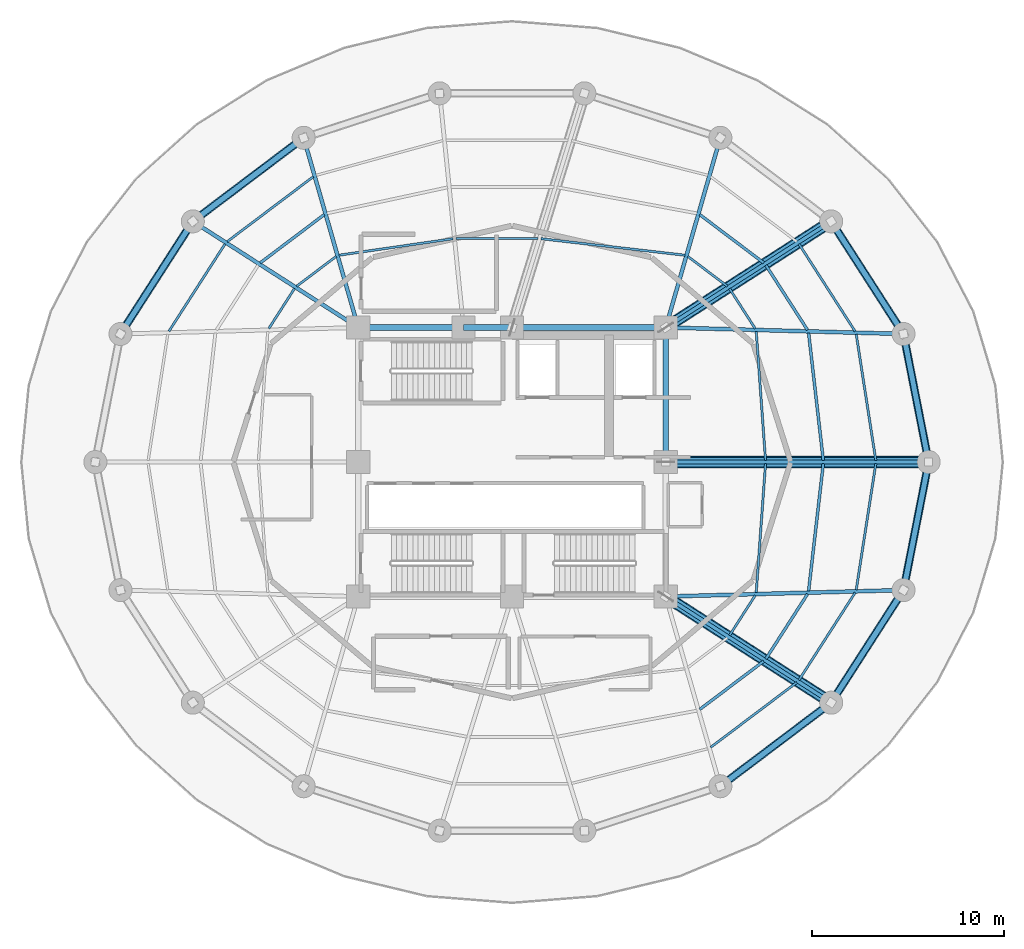
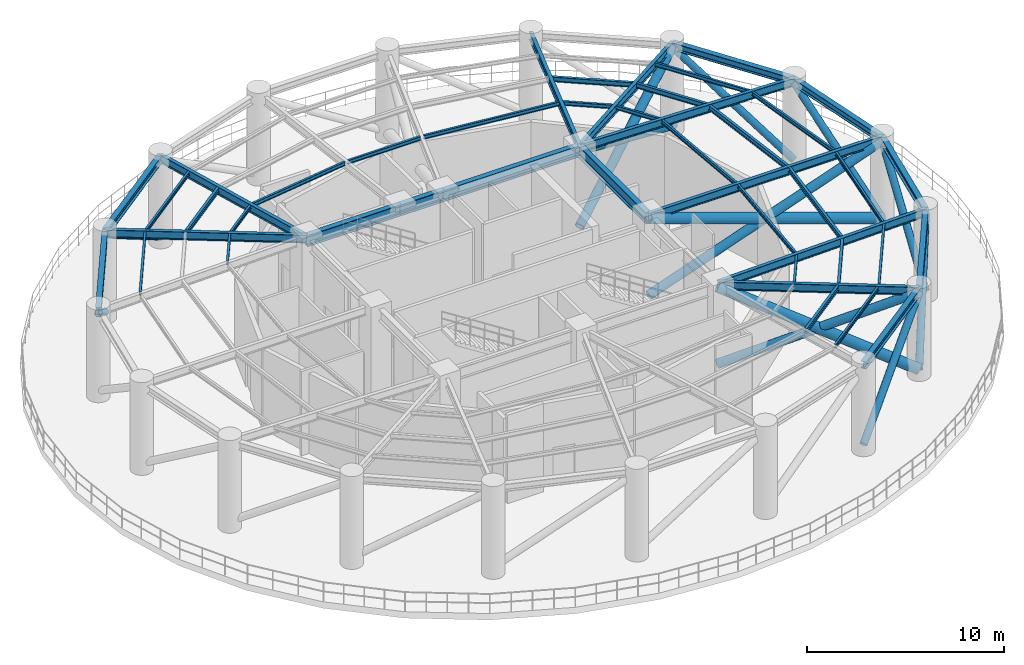
# One storey, part 2 of 7: 43 beams, 13 members.
"""IFC4 building model written with IfcOpenShell, lengths in metres."""

from ifc_helpers import new_model, si_unit, direction, frame, origin, origin_2d, place, context, subcontext, project, spatial, hollow_circle, i_section, extrude, material, material_profile, profile_set, type_object, element, save


model = new_model("IFC4")

# Units and contexts
model_context = context("Model", 3, precision=1e-05, world=origin(), true_north=direction((0.0, 1.0)))
body_context = subcontext(model_context, "Body", "Model", "MODEL_VIEW")
ifc_project = project(units=[si_unit("LENGTHUNIT", "METRE"), si_unit("AREAUNIT", "SQUARE_METRE"), si_unit("VOLUMEUNIT", "CUBIC_METRE"), si_unit("PLANEANGLEUNIT", "RADIAN"), si_unit("MASSUNIT", "GRAM", prefix="KILO")], contexts=[model_context])

# Site, building, storey
site_placement = place(None, origin())
site = spatial("IfcSite", under=ifc_project, at=site_placement, CompositionType="ELEMENT")
building_placement = place(site_placement, origin())
building = spatial("IfcBuilding", under=site, at=building_placement, Name="Kelanora Arch Commons", CompositionType="ELEMENT")
storey_placement = place(building_placement, frame((0.0, 0.0, 129.860107421875)))
storey = spatial("IfcBuildingStorey", under=building, at=storey_placement, Name="L33", CompositionType="ELEMENT", Elevation=129.860107421875)

# Beams
ifc_material = material(Name="Steel S355", Category="steel")
ifc_material_profile_1 = material_profile(ifc_material, i_section(OverallWidth=0.300048828125, OverallDepth=0.699951171875, WebThickness=0.01708984375, FlangeThickness=0.031982421875, FilletRadius=0.027099609375, at=origin_2d()), Name="HEB700")
ifc_profile_set_1 = profile_set([ifc_material_profile_1], Name="Steel S355")
beam_type_1 = type_object("IfcBeamType", Name="BM-CORE-HDR", PredefinedType="BEAM", material=ifc_profile_set_1)
beam_1_placement = place(storey_placement, frame((82.0, 58.0, 5.1298828125), z_axis=(0.0, 1.0, 0.0), x_axis=(-1.0, 0.0, 0.0)))
element("IfcBeam", 1, at=beam_1_placement, inside=storey, type_object=beam_type_1, Name="Core Header Beam 04 L33", PredefinedType="BEAM", context=body_context, shape_type="SweptSolid", body=[
    extrude(i_section(OverallWidth=0.300048828125, OverallDepth=0.699951171875, WebThickness=0.01708984375, FlangeThickness=0.031982421875, FilletRadius=0.027099609375, at=origin_2d()), origin(), (0.0, 0.0, 1.0), 7.0),
])
beam_2_placement = place(storey_placement, frame((82.0, 65.0, 5.1298828125), z_axis=(-1.0, 0.0, 0.0), x_axis=(0.0, -1.0, 0.0)))
element("IfcBeam", 2, at=beam_2_placement, inside=storey, type_object=beam_type_1, Name="Core Header Beam 05 L33", PredefinedType="BEAM", context=body_context, shape_type="SweptSolid", body=[
    extrude(i_section(OverallWidth=0.300048828125, OverallDepth=0.699951171875, WebThickness=0.01708984375, FlangeThickness=0.031982421875, FilletRadius=0.027099609375, at=origin_2d()), origin(), (0.0, 0.0, 1.0), 8.0),
])
beam_3_placement = place(storey_placement, frame((74.0, 65.0, 5.1298828125), z_axis=(-1.0, 0.0, 0.0), x_axis=(0.0, -1.0, 0.0)))
element("IfcBeam", 3, at=beam_3_placement, inside=storey, type_object=beam_type_1, Name="Core Header Beam 06 L33", PredefinedType="BEAM", context=body_context, shape_type="SweptSolid", body=[
    extrude(i_section(OverallWidth=0.300048828125, OverallDepth=0.699951171875, WebThickness=0.01708984375, FlangeThickness=0.031982421875, FilletRadius=0.027099609375, at=origin_2d()), origin(), (0.0, 0.0, 1.0), 2.52001953125),
])
beam_4_placement = place(storey_placement, frame((71.47998046875, 65.0, 5.1298828125), z_axis=(-1.0, 0.0, 0.0), x_axis=(0.0, -1.0, 0.0)))
element("IfcBeam", 4, at=beam_4_placement, inside=storey, type_object=beam_type_1, Name="Core Header Beam 07 L33", PredefinedType="BEAM", context=body_context, shape_type="SweptSolid", body=[
    extrude(i_section(OverallWidth=0.300048828125, OverallDepth=0.699951171875, WebThickness=0.01708984375, FlangeThickness=0.031982421875, FilletRadius=0.027099609375, at=origin_2d()), origin(), (0.0, 0.0, 1.0), 5.47998046875),
])
ifc_material_profile_2 = material_profile(ifc_material, i_section(OverallWidth=0.14990234375, OverallDepth=0.300048828125, WebThickness=0.007080078125, FlangeThickness=0.0107421875, FilletRadius=0.014892578125, at=origin_2d()), Name="IPE300")
ifc_profile_set_2 = profile_set([ifc_material_profile_2], Name="Steel S355")
beam_type_2 = type_object("IfcBeamType", Name="BM-JST-01", PredefinedType="JOIST", material=ifc_profile_set_2)
beam_5_placement = place(storey_placement, frame((90.1982421875, 58.08447265625, 5.329833984375), z_axis=(-0.114667159005, 0.9934039675, 0.0), x_axis=(-0.9934039675, -0.114667159005, 0.0)))
element("IfcBeam", 5, at=beam_5_placement, inside=storey, type_object=beam_type_2, Name="Secondary Chord Joist BJB-00 L33", PredefinedType="JOIST", context=body_context, shape_type="SweptSolid", body=[
    extrude(i_section(OverallWidth=0.14990234375, OverallDepth=0.300048828125, WebThickness=0.007080078125, FlangeThickness=0.0107421875, FilletRadius=0.014892578125, at=origin_2d()), origin(), (0.0, 0.0, 1.0), 6.672607421875),
])
beam_6_placement = place(storey_placement, frame((89.377685546875, 64.869140625, 5.329833984375), z_axis=(-0.540594434398, 0.841283339606, 0.0), x_axis=(-0.841283339606, -0.540594434398, 0.0)))
element("IfcBeam", 6, at=beam_6_placement, inside=storey, type_object=beam_type_2, Name="Secondary Chord Joist BJB-02 L33", PredefinedType="JOIST", context=body_context, shape_type="SweptSolid", body=[
    extrude(i_section(OverallWidth=0.14990234375, OverallDepth=0.300048828125, WebThickness=0.007080078125, FlangeThickness=0.0107421875, FilletRadius=0.014892578125, at=origin_2d()), origin(), (0.0, 0.0, 1.0), 4.008544921875),
])
for number, where, z_axis, x_axis, name in (
    (7, (87.0966796875, 68.364013671875, 5.329833984375), (-0.798463547891, 0.602043156833, 0.0), (-0.602043156833, -0.798463547891, 0.0), "Secondary Chord Joist BJB-04 L33"),
    (8, (64.22802734375, 70.870849609375, 5.329833984375), (-0.798463547891, -0.602043156833, 0.0), (0.602043156833, -0.798463547891, 0.0), "Secondary Chord Joist BJB-12 L33"),
    (9, (83.77197265625, 45.129150390625, 5.329833984375), (0.798463547891, 0.602043156833, 0.0), (-0.602043156833, 0.798463547891, 0.0), "Secondary Chord Joist BJB-30 L33"),
):
    element("IfcBeam", number, at=place(storey_placement, frame(where, z_axis=z_axis, x_axis=x_axis)), inside=storey, type_object=beam_type_2, Name=name, PredefinedType="JOIST", context=body_context, shape_type="SweptSolid", body=[
        extrude(i_section(OverallWidth=0.14990234375, OverallDepth=0.300048828125, WebThickness=0.007080078125, FlangeThickness=0.0107421875, FilletRadius=0.014892578125, at=origin_2d()), origin(), (0.0, 0.0, 1.0), 4.163818359375),
    ])
beam_7_placement = place(storey_placement, frame((87.210693359375, 47.758544921875, 5.329833984375), z_axis=(0.540594434398, 0.841283339606, 0.0), x_axis=(-0.841283339606, 0.540594434398, 0.0)))
element("IfcBeam", 10, at=beam_7_placement, inside=storey, type_object=beam_type_2, Name="Secondary Chord Joist BJB-32 L33", PredefinedType="JOIST", context=body_context, shape_type="SweptSolid", body=[
    extrude(i_section(OverallWidth=0.14990234375, OverallDepth=0.300048828125, WebThickness=0.007080078125, FlangeThickness=0.0107421875, FilletRadius=0.014892578125, at=origin_2d()), origin(), (0.0, 0.0, 1.0), 4.008544921875),
])
beam_8_placement = place(storey_placement, frame((89.43310546875, 51.286865234375, 5.329833984375), z_axis=(0.114667159005, 0.9934039675, 0.0), x_axis=(-0.9934039675, 0.114667159005, 0.0)))
element("IfcBeam", 11, at=beam_8_placement, inside=storey, type_object=beam_type_2, Name="Secondary Chord Joist BJB-34 L33", PredefinedType="JOIST", context=body_context, shape_type="SweptSolid", body=[
    extrude(i_section(OverallWidth=0.14990234375, OverallDepth=0.300048828125, WebThickness=0.007080078125, FlangeThickness=0.0107421875, FilletRadius=0.014892578125, at=origin_2d()), origin(), (0.0, 0.0, 1.0), 6.672607421875),
])
ifc_material_profile_3 = material_profile(ifc_material, i_section(OverallWidth=0.1201171875, OverallDepth=0.239990234375, WebThickness=0.006103515625, FlangeThickness=0.009765625, FilletRadius=0.014892578125, at=origin_2d()), Name="IPE240")
ifc_profile_set_3 = profile_set([ifc_material_profile_3], Name="Steel S355")
beam_type_3 = type_object("IfcBeamType", Name="BM-JST-02", PredefinedType="JOIST", material=ifc_profile_set_3)
beam_9_placement = place(storey_placement, frame((87.1923828125, 58.084716796875, 5.35986328125), z_axis=(-0.072117123738, 0.997396170267, 0.0), x_axis=(-0.997396170267, -0.072117123738, 0.0)))
element("IfcBeam", 12, at=beam_9_placement, inside=storey, type_object=beam_type_3, Name="Secondary Chord Joist BJA-00 L33", PredefinedType="JOIST", context=body_context, shape_type="SweptSolid", body=[
    extrude(i_section(OverallWidth=0.1201171875, OverallDepth=0.239990234375, WebThickness=0.006103515625, FlangeThickness=0.009765625, FilletRadius=0.014892578125, at=origin_2d()), origin(), (0.0, 0.0, 1.0), 6.719970703125),
])
beam_10_placement = place(storey_placement, frame((92.930908203125, 58.083984375, 5.35986328125), z_axis=(-0.153562625853, 0.988138917329, 0.0), x_axis=(-0.988138917329, -0.153562625853, 0.0)))
element("IfcBeam", 13, at=beam_10_placement, inside=storey, type_object=beam_type_3, Name="Secondary Chord Joist BJC-00 L33", PredefinedType="JOIST", context=body_context, shape_type="SweptSolid", body=[
    extrude(i_section(OverallWidth=0.1201171875, OverallDepth=0.239990234375, WebThickness=0.006103515625, FlangeThickness=0.009765625, FilletRadius=0.014892578125, at=origin_2d()), origin(), (0.0, 0.0, 1.0), 6.640869140625),
])
beam_11_placement = place(storey_placement, frame((86.655517578125, 64.943359375, 5.35986328125), z_axis=(-0.540583174025, 0.841290575224, 0.0), x_axis=(-0.841290575224, -0.540583174025, 0.0)))
element("IfcBeam", 14, at=beam_11_placement, inside=storey, type_object=beam_type_3, Name="Secondary Chord Joist BJA-02 L33", PredefinedType="JOIST", context=body_context, shape_type="SweptSolid", body=[
    extrude(i_section(OverallWidth=0.1201171875, OverallDepth=0.239990234375, WebThickness=0.006103515625, FlangeThickness=0.009765625, FilletRadius=0.014892578125, at=origin_2d()), origin(), (0.0, 0.0, 1.0), 2.476318359375),
])
beam_12_placement = place(storey_placement, frame((91.85205078125, 64.801513671875, 5.35986328125), z_axis=(-0.540581678156, 0.841291536414, 0.0), x_axis=(-0.841291536414, -0.540581678156, 0.0)))
element("IfcBeam", 15, at=beam_12_placement, inside=storey, type_object=beam_type_3, Name="Secondary Chord Joist BJC-02 L33", PredefinedType="JOIST", context=body_context, shape_type="SweptSolid", body=[
    extrude(i_section(OverallWidth=0.1201171875, OverallDepth=0.239990234375, WebThickness=0.006103515625, FlangeThickness=0.009765625, FilletRadius=0.014892578125, at=origin_2d()), origin(), (0.0, 0.0, 1.0), 5.4013671875),
])
beam_13_placement = place(storey_placement, frame((85.203125, 67.1494140625, 5.35986328125), z_axis=(-0.798484118859, 0.602015873487, 0.0), x_axis=(-0.602015873487, -0.798484118859, 0.0)))
element("IfcBeam", 16, at=beam_13_placement, inside=storey, type_object=beam_type_3, Name="Secondary Chord Joist BJA-04 L33", PredefinedType="JOIST", context=body_context, shape_type="SweptSolid", body=[
    extrude(i_section(OverallWidth=0.1201171875, OverallDepth=0.239990234375, WebThickness=0.006103515625, FlangeThickness=0.009765625, FilletRadius=0.014892578125, at=origin_2d()), origin(), (0.0, 0.0, 1.0), 2.57470703125),
])
beam_14_placement = place(storey_placement, frame((82.994873046875, 68.760498046875, 5.35986328125), z_axis=(-0.993457414184, 0.114203179475, 0.0), x_axis=(-0.114203179475, -0.993457414184, 0.0)))
element("IfcBeam", 17, at=beam_14_placement, inside=storey, type_object=beam_type_3, Name="Secondary Chord Joist BJA-06 L33", PredefinedType="JOIST", context=body_context, shape_type="SweptSolid", body=[
    extrude(i_section(OverallWidth=0.1201171875, OverallDepth=0.239990234375, WebThickness=0.006103515625, FlangeThickness=0.009765625, FilletRadius=0.014892578125, at=origin_2d()), origin(), (0.0, 0.0, 1.0), 7.529296875),
])
beam_15_placement = place(storey_placement, frame((75.345703125, 69.6298828125, 5.35986328125), z_axis=(-1.0, 0.0, 0.0), x_axis=(0.0, -1.0, 0.0)))
element("IfcBeam", 18, at=beam_15_placement, inside=storey, type_object=beam_type_3, Name="Secondary Chord Joist BJA-08 L33", PredefinedType="JOIST", context=body_context, shape_type="SweptSolid", body=[
    extrude(i_section(OverallWidth=0.1201171875, OverallDepth=0.239990234375, WebThickness=0.006103515625, FlangeThickness=0.009765625, FilletRadius=0.014892578125, at=origin_2d()), origin(), (0.0, 0.0, 1.0), 4.253662109375),
])
beam_16_placement = place(storey_placement, frame((70.9228515625, 69.617919921875, 5.35986328125), z_axis=(-0.989718726051, -0.143027421508, 0.0), x_axis=(0.143027421508, -0.989718726051, 0.0)))
element("IfcBeam", 19, at=beam_16_placement, inside=storey, type_object=beam_type_3, Name="Secondary Chord Joist BJA-10 L33", PredefinedType="JOIST", context=body_context, shape_type="SweptSolid", body=[
    extrude(i_section(OverallWidth=0.1201171875, OverallDepth=0.239990234375, WebThickness=0.006103515625, FlangeThickness=0.009765625, FilletRadius=0.014892578125, at=origin_2d()), origin(), (0.0, 0.0, 1.0), 5.9794921875),
])
beam_17_placement = place(storey_placement, frame((64.852783203125, 68.699462890625, 5.35986328125), z_axis=(-0.798484118859, -0.602015873487, 0.0), x_axis=(0.602015873487, -0.798484118859, 0.0)))
element("IfcBeam", 20, at=beam_17_placement, inside=storey, type_object=beam_type_3, Name="Secondary Chord Joist BJA-12 L33", PredefinedType="JOIST", context=body_context, shape_type="SweptSolid", body=[
    extrude(i_section(OverallWidth=0.1201171875, OverallDepth=0.239990234375, WebThickness=0.006103515625, FlangeThickness=0.009765625, FilletRadius=0.014892578125, at=origin_2d()), origin(), (0.0, 0.0, 1.0), 2.57470703125),
])
beam_18_placement = place(storey_placement, frame((63.66015625, 72.844970703125, 5.35986328125), z_axis=(-0.798493128577, -0.602003923256, 0.0), x_axis=(0.602003923256, -0.798493128577, 0.0)))
element("IfcBeam", 21, at=beam_18_placement, inside=storey, type_object=beam_type_3, Name="Secondary Chord Joist BJC-12 L33", PredefinedType="JOIST", context=body_context, shape_type="SweptSolid", body=[
    extrude(i_section(OverallWidth=0.1201171875, OverallDepth=0.239990234375, WebThickness=0.006103515625, FlangeThickness=0.009765625, FilletRadius=0.014892578125, at=origin_2d()), origin(), (0.0, 0.0, 1.0), 5.608642578125),
])
beam_19_placement = place(storey_placement, frame((62.68310546875, 67.026611328125, 5.35986328125), z_axis=(-0.540583174025, -0.841290575224, 0.0), x_axis=(0.841290575224, -0.540583174025, 0.0)))
element("IfcBeam", 22, at=beam_19_placement, inside=storey, type_object=beam_type_3, Name="Secondary Chord Joist BJA-14 L33", PredefinedType="JOIST", context=body_context, shape_type="SweptSolid", body=[
    extrude(i_section(OverallWidth=0.1201171875, OverallDepth=0.239990234375, WebThickness=0.006103515625, FlangeThickness=0.009765625, FilletRadius=0.014892578125, at=origin_2d()), origin(), (0.0, 0.0, 1.0), 2.476318359375),
])
beam_20_placement = place(storey_placement, frame((59.06787109375, 69.345703125, 5.35986328125), z_axis=(-0.540581678156, -0.841291536414, 0.0), x_axis=(0.841291536414, -0.540581678156, 0.0)))
element("IfcBeam", 23, at=beam_20_placement, inside=storey, type_object=beam_type_3, Name="Secondary Chord Joist BJC-14 L33", PredefinedType="JOIST", context=body_context, shape_type="SweptSolid", body=[
    extrude(i_section(OverallWidth=0.1201171875, OverallDepth=0.239990234375, WebThickness=0.006103515625, FlangeThickness=0.009765625, FilletRadius=0.014892578125, at=origin_2d()), origin(), (0.0, 0.0, 1.0), 5.4013671875),
])
beam_21_placement = place(storey_placement, frame((84.33984375, 43.155029296875, 5.35986328125), z_axis=(0.798493128577, 0.602003923256, 0.0), x_axis=(-0.602003923256, 0.798493128577, 0.0)))
element("IfcBeam", 24, at=beam_21_placement, inside=storey, type_object=beam_type_3, Name="Secondary Chord Joist BJC-30 L33", PredefinedType="JOIST", context=body_context, shape_type="SweptSolid", body=[
    extrude(i_section(OverallWidth=0.1201171875, OverallDepth=0.239990234375, WebThickness=0.006103515625, FlangeThickness=0.009765625, FilletRadius=0.014892578125, at=origin_2d()), origin(), (0.0, 0.0, 1.0), 5.608642578125),
])
beam_22_placement = place(storey_placement, frame((85.31689453125, 48.973388671875, 5.35986328125), z_axis=(0.540583174025, 0.841290575224, 0.0), x_axis=(-0.841290575224, 0.540583174025, 0.0)))
element("IfcBeam", 25, at=beam_22_placement, inside=storey, type_object=beam_type_3, Name="Secondary Chord Joist BJA-32 L33", PredefinedType="JOIST", context=body_context, shape_type="SweptSolid", body=[
    extrude(i_section(OverallWidth=0.1201171875, OverallDepth=0.239990234375, WebThickness=0.006103515625, FlangeThickness=0.009765625, FilletRadius=0.014892578125, at=origin_2d()), origin(), (0.0, 0.0, 1.0), 2.476318359375),
])
beam_23_placement = place(storey_placement, frame((88.93212890625, 46.654296875, 5.35986328125), z_axis=(0.540581678156, 0.841291536414, 0.0), x_axis=(-0.841291536414, 0.540581678156, 0.0)))
element("IfcBeam", 26, at=beam_23_placement, inside=storey, type_object=beam_type_3, Name="Secondary Chord Joist BJC-32 L33", PredefinedType="JOIST", context=body_context, shape_type="SweptSolid", body=[
    extrude(i_section(OverallWidth=0.1201171875, OverallDepth=0.239990234375, WebThickness=0.006103515625, FlangeThickness=0.009765625, FilletRadius=0.014892578125, at=origin_2d()), origin(), (0.0, 0.0, 1.0), 5.4013671875),
])
beam_24_placement = place(storey_placement, frame((86.707763671875, 51.212890625, 5.35986328125), z_axis=(0.072117123738, 0.997396170267, 0.0), x_axis=(-0.997396170267, 0.072117123738, 0.0)))
element("IfcBeam", 27, at=beam_24_placement, inside=storey, type_object=beam_type_3, Name="Secondary Chord Joist BJA-34 L33", PredefinedType="JOIST", context=body_context, shape_type="SweptSolid", body=[
    extrude(i_section(OverallWidth=0.1201171875, OverallDepth=0.239990234375, WebThickness=0.006103515625, FlangeThickness=0.009765625, FilletRadius=0.014892578125, at=origin_2d()), origin(), (0.0, 0.0, 1.0), 6.719970703125),
])
beam_25_placement = place(storey_placement, frame((91.9111328125, 51.35400390625, 5.35986328125), z_axis=(0.153562625853, 0.988138917329, 0.0), x_axis=(-0.988138917329, 0.153562625853, 0.0)))
element("IfcBeam", 28, at=beam_25_placement, inside=storey, type_object=beam_type_3, Name="Secondary Chord Joist BJC-34 L33", PredefinedType="JOIST", context=body_context, shape_type="SweptSolid", body=[
    extrude(i_section(OverallWidth=0.1201171875, OverallDepth=0.239990234375, WebThickness=0.006103515625, FlangeThickness=0.009765625, FilletRadius=0.014892578125, at=origin_2d()), origin(), (0.0, 0.0, 1.0), 6.640869140625),
])
ifc_material_profile_4 = material_profile(ifc_material, i_section(OverallWidth=0.199951171875, OverallDepth=0.5, WebThickness=0.01025390625, FlangeThickness=0.01611328125, FilletRadius=0.02099609375, at=origin_2d()), Name="IPE500")
ifc_profile_set_4 = profile_set([ifc_material_profile_4], Name="Steel S355")
beam_type_4 = type_object("IfcBeamType", Name="BM-RAD-Z3", PredefinedType="BEAM", material=ifc_profile_set_4)
beam_26_placement = place(storey_placement, frame((82.0, 58.0, 5.22998046875), z_axis=(1.0, 0.0, 0.0), x_axis=(0.0, 1.0, 0.0)))
element("IfcBeam", 29, at=beam_26_placement, inside=storey, type_object=beam_type_4, Name="Radial Floor Girder BR-00 L33", PredefinedType="BEAM", context=body_context, shape_type="SweptSolid", body=[
    extrude(i_section(OverallWidth=0.199951171875, OverallDepth=0.5, WebThickness=0.01025390625, FlangeThickness=0.01611328125, FilletRadius=0.02099609375, at=origin_2d()), origin(), (0.0, 0.0, 1.0), 13.679931640625),
])
beam_27_placement = place(storey_placement, frame((82.0, 65.0, 5.22998046875), z_axis=(0.999628374924, -0.027260081577, 0.0), x_axis=(0.027260081577, 0.999628374924, 0.0)))
element("IfcBeam", 30, at=beam_27_placement, inside=storey, type_object=beam_type_4, Name="Radial Floor Girder BR-02 L33", PredefinedType="BEAM", context=body_context, shape_type="SweptSolid", body=[
    extrude(i_section(OverallWidth=0.199951171875, OverallDepth=0.5, WebThickness=0.01025390625, FlangeThickness=0.01611328125, FilletRadius=0.02099609375, at=origin_2d()), origin(), (0.0, 0.0, 1.0), 12.377197265625),
])
beam_28_placement = place(storey_placement, frame((82.0, 65.0, 5.22998046875), z_axis=(0.841719465748, 0.539915123868, 0.0), x_axis=(-0.539915123868, 0.841719465748, 0.0)))
element("IfcBeam", 31, at=beam_28_placement, inside=storey, type_object=beam_type_4, Name="Radial Floor Girder BR-04 L33", PredefinedType="BEAM", context=body_context, shape_type="SweptSolid", body=[
    extrude(i_section(OverallWidth=0.199951171875, OverallDepth=0.5, WebThickness=0.01025390625, FlangeThickness=0.01611328125, FilletRadius=0.02099609375, at=origin_2d()), origin(), (0.0, 0.0, 1.0), 10.2265625),
])
for number, where, z_axis, x_axis, name in (
    (32, (82.0, 65.0, 5.22998046875), (0.276525880065, 0.961006471182, 0.0), (-0.961006471182, 0.276525880065, 0.0), "Radial Floor Girder BR-06 L33"),
    (33, (66.0, 65.0, 5.22998046875), (-0.276525880065, 0.961006471182, 0.0), (-0.961006471182, -0.276525880065, 0.0), "Radial Floor Girder BR-12 L33"),
):
    element("IfcBeam", number, at=place(storey_placement, frame(where, z_axis=z_axis, x_axis=x_axis)), inside=storey, type_object=beam_type_4, Name=name, PredefinedType="BEAM", context=body_context, shape_type="SweptSolid", body=[
        extrude(i_section(OverallWidth=0.199951171875, OverallDepth=0.5, WebThickness=0.01025390625, FlangeThickness=0.01611328125, FilletRadius=0.02099609375, at=origin_2d()), origin(), (0.0, 0.0, 1.0), 10.2705078125),
    ])
for number, where, z_axis, x_axis, name in (
    (34, (66.0, 65.0, 5.22998046875), (-0.841719465748, 0.539915123868, 0.0), (-0.539915123868, -0.841719465748, 0.0), "Radial Floor Girder BR-14 L33"),
    (35, (82.0, 51.0, 5.22998046875), (0.841719465748, -0.539915123868, 0.0), (0.539915123868, 0.841719465748, 0.0), "Radial Floor Girder BR-32 L33"),
):
    element("IfcBeam", number, at=place(storey_placement, frame(where, z_axis=z_axis, x_axis=x_axis)), inside=storey, type_object=beam_type_4, Name=name, PredefinedType="BEAM", context=body_context, shape_type="SweptSolid", body=[
        extrude(i_section(OverallWidth=0.199951171875, OverallDepth=0.5, WebThickness=0.01025390625, FlangeThickness=0.01611328125, FilletRadius=0.02099609375, at=origin_2d()), origin(), (0.0, 0.0, 1.0), 10.2265625),
    ])
beam_29_placement = place(storey_placement, frame((82.0, 51.0, 5.22998046875), z_axis=(0.999628374924, 0.027260081577, 0.0), x_axis=(-0.027260081577, 0.999628374924, 0.0)))
element("IfcBeam", 36, at=beam_29_placement, inside=storey, type_object=beam_type_4, Name="Radial Floor Girder BR-34 L33", PredefinedType="BEAM", context=body_context, shape_type="SweptSolid", body=[
    extrude(i_section(OverallWidth=0.199951171875, OverallDepth=0.5, WebThickness=0.01025390625, FlangeThickness=0.01611328125, FilletRadius=0.02099609375, at=origin_2d()), origin(), (0.0, 0.0, 1.0), 12.377197265625),
])
ifc_material_profile_5 = material_profile(ifc_material, i_section(OverallWidth=0.300048828125, OverallDepth=0.449951171875, WebThickness=0.013916015625, FlangeThickness=0.02587890625, FilletRadius=0.027099609375, at=origin_2d()), Name="HEB450")
ifc_profile_set_5 = profile_set([ifc_material_profile_5], Name="Steel S355")
beam_type_5 = type_object("IfcBeamType", Name="BM-SPN-Z3", PredefinedType="SPANDREL", material=ifc_profile_set_5)
beam_30_placement = place(storey_placement, frame((95.679931640625, 58.0, 5.2548828125), z_axis=(-0.192553643556, 0.981286448675, 0.0), x_axis=(-0.981286448675, -0.192553643556, 0.0)))
element("IfcBeam", 37, at=beam_30_placement, inside=storey, type_object=beam_type_5, Name="Perimeter Spandrel Beam BS-00 L33", PredefinedType="SPANDREL", context=body_context, shape_type="SweptSolid", body=[
    extrude(i_section(OverallWidth=0.300048828125, OverallDepth=0.449951171875, WebThickness=0.013916015625, FlangeThickness=0.02587890625, FilletRadius=0.027099609375, at=origin_2d()), origin(), (0.0, 0.0, 1.0), 6.78955078125),
])
beam_31_placement = place(storey_placement, frame((94.37255859375, 64.66259765625, 5.2548828125), z_axis=(-0.540576852469, 0.841294637196, 0.0), x_axis=(-0.841294637196, -0.540576852469, 0.0)))
element("IfcBeam", 38, at=beam_31_placement, inside=storey, type_object=beam_type_5, Name="Perimeter Spandrel Beam BS-02 L33", PredefinedType="SPANDREL", context=body_context, shape_type="SweptSolid", body=[
    extrude(i_section(OverallWidth=0.300048828125, OverallDepth=0.449951171875, WebThickness=0.013916015625, FlangeThickness=0.02587890625, FilletRadius=0.027099609375, at=origin_2d()), origin(), (0.0, 0.0, 1.0), 6.964111328125),
])
beam_32_placement = place(storey_placement, frame((63.159912109375, 74.8701171875, 5.2548828125), z_axis=(-0.798484645564, -0.60201517489, 0.0), x_axis=(0.60201517489, -0.798484645564, 0.0)))
element("IfcBeam", 39, at=beam_32_placement, inside=storey, type_object=beam_type_5, Name="Perimeter Spandrel Beam BS-12 L33", PredefinedType="SPANDREL", context=body_context, shape_type="SweptSolid", body=[
    extrude(i_section(OverallWidth=0.300048828125, OverallDepth=0.449951171875, WebThickness=0.013916015625, FlangeThickness=0.02587890625, FilletRadius=0.027099609375, at=origin_2d()), origin(), (0.0, 0.0, 1.0), 7.223388671875),
])
beam_33_placement = place(storey_placement, frame((57.39208984375, 70.521484375, 5.2548828125), z_axis=(-0.540576852469, -0.841294637196, 0.0), x_axis=(0.841294637196, -0.540576852469, 0.0)))
element("IfcBeam", 40, at=beam_33_placement, inside=storey, type_object=beam_type_5, Name="Perimeter Spandrel Beam BS-14 L33", PredefinedType="SPANDREL", context=body_context, shape_type="SweptSolid", body=[
    extrude(i_section(OverallWidth=0.300048828125, OverallDepth=0.449951171875, WebThickness=0.013916015625, FlangeThickness=0.02587890625, FilletRadius=0.027099609375, at=origin_2d()), origin(), (0.0, 0.0, 1.0), 6.964111328125),
])
beam_34_placement = place(storey_placement, frame((84.840087890625, 41.1298828125, 5.2548828125), z_axis=(0.798484645564, 0.60201517489, 0.0), x_axis=(-0.60201517489, 0.798484645564, 0.0)))
element("IfcBeam", 41, at=beam_34_placement, inside=storey, type_object=beam_type_5, Name="Perimeter Spandrel Beam BS-30 L33", PredefinedType="SPANDREL", context=body_context, shape_type="SweptSolid", body=[
    extrude(i_section(OverallWidth=0.300048828125, OverallDepth=0.449951171875, WebThickness=0.013916015625, FlangeThickness=0.02587890625, FilletRadius=0.027099609375, at=origin_2d()), origin(), (0.0, 0.0, 1.0), 7.223388671875),
])
beam_35_placement = place(storey_placement, frame((90.60791015625, 45.478515625, 5.2548828125), z_axis=(0.540576852469, 0.841294637196, 0.0), x_axis=(-0.841294637196, 0.540576852469, 0.0)))
element("IfcBeam", 42, at=beam_35_placement, inside=storey, type_object=beam_type_5, Name="Perimeter Spandrel Beam BS-32 L33", PredefinedType="SPANDREL", context=body_context, shape_type="SweptSolid", body=[
    extrude(i_section(OverallWidth=0.300048828125, OverallDepth=0.449951171875, WebThickness=0.013916015625, FlangeThickness=0.02587890625, FilletRadius=0.027099609375, at=origin_2d()), origin(), (0.0, 0.0, 1.0), 6.964111328125),
])
beam_36_placement = place(storey_placement, frame((94.37255859375, 51.33740234375, 5.2548828125), z_axis=(0.192553643556, 0.981286448675, 0.0), x_axis=(-0.981286448675, 0.192553643556, 0.0)))
element("IfcBeam", 43, at=beam_36_placement, inside=storey, type_object=beam_type_5, Name="Perimeter Spandrel Beam BS-34 L33", PredefinedType="SPANDREL", context=body_context, shape_type="SweptSolid", body=[
    extrude(i_section(OverallWidth=0.300048828125, OverallDepth=0.449951171875, WebThickness=0.013916015625, FlangeThickness=0.02587890625, FilletRadius=0.027099609375, at=origin_2d()), origin(), (0.0, 0.0, 1.0), 6.78955078125),
])

# Members
ifc_material_profile_6 = material_profile(ifc_material, hollow_circle(Radius=0.203125, WallThickness=0.02001953125, at=origin_2d()), Name="CHS406.4x20")
ifc_profile_set_6 = profile_set([ifc_material_profile_6], Name="Steel S355")
member_type_1 = type_object("IfcMemberType", Name="MEM-BELT-DIAG", PredefinedType="BRACE", material=ifc_profile_set_6)
member_1_placement = place(storey_placement, frame((95.679931640625, 58.0, 0.349853515625), z_axis=(-0.157448431417, 0.802384256465, 0.575664395652), x_axis=(-0.981286448675, -0.192553643556, 0.0)))
element("IfcMember", 44, at=member_1_placement, inside=storey, type_object=member_type_1, Name="Belt Truss Diagonal MB-00 L33", PredefinedType="BRACE", context=body_context, shape_type="SweptSolid", body=[
    extrude(hollow_circle(Radius=0.203125, WallThickness=0.02001953125, at=origin_2d()), origin(), (0.0, 0.0, 1.0), 8.303466796875),
])
member_2_placement = place(storey_placement, frame((94.37255859375, 64.66259765625, 0.349853515625), z_axis=(-0.445691239376, 0.693625055937, 0.565900698816), x_axis=(-0.841294637196, -0.540576852469, 0.0)))
element("IfcMember", 45, at=member_2_placement, inside=storey, type_object=member_type_1, Name="Belt Truss Diagonal MB-02 L33", PredefinedType="BRACE", context=body_context, shape_type="SweptSolid", body=[
    extrude(hollow_circle(Radius=0.203125, WallThickness=0.02001953125, at=origin_2d()), origin(), (0.0, 0.0, 1.0), 8.44677734375),
])
member_3_placement = place(storey_placement, frame((63.159912109375, 74.8701171875, 0.349853515625), z_axis=(-0.6658906268, -0.502046300299, 0.551850691307), x_axis=(0.60201517489, -0.798484645564, 0.0)))
element("IfcMember", 46, at=member_3_placement, inside=storey, type_object=member_type_1, Name="Belt Truss Diagonal MB-12 L33", PredefinedType="BRACE", context=body_context, shape_type="SweptSolid", body=[
    extrude(hollow_circle(Radius=0.203125, WallThickness=0.02001953125, at=origin_2d()), origin(), (0.0, 0.0, 1.0), 8.661865234375),
])
member_4_placement = place(storey_placement, frame((57.39208984375, 70.521484375, 0.349853515625), z_axis=(-0.445691239376, -0.693625055937, 0.565900698816), x_axis=(0.841294637196, -0.540576852469, 0.0)))
element("IfcMember", 47, at=member_4_placement, inside=storey, type_object=member_type_1, Name="Belt Truss Diagonal MB-14 L33", PredefinedType="BRACE", context=body_context, shape_type="SweptSolid", body=[
    extrude(hollow_circle(Radius=0.203125, WallThickness=0.02001953125, at=origin_2d()), origin(), (0.0, 0.0, 1.0), 8.44677734375),
])
member_5_placement = place(storey_placement, frame((84.840087890625, 41.1298828125, 0.349853515625), z_axis=(0.6658906268, 0.502046300299, 0.551850691307), x_axis=(-0.60201517489, 0.798484645564, 0.0)))
element("IfcMember", 48, at=member_5_placement, inside=storey, type_object=member_type_1, Name="Belt Truss Diagonal MB-30 L33", PredefinedType="BRACE", context=body_context, shape_type="SweptSolid", body=[
    extrude(hollow_circle(Radius=0.203125, WallThickness=0.02001953125, at=origin_2d()), origin(), (0.0, 0.0, 1.0), 8.661865234375),
])
member_6_placement = place(storey_placement, frame((90.60791015625, 45.478515625, 0.349853515625), z_axis=(0.445691239376, 0.693625055937, 0.565900698816), x_axis=(-0.841294637196, 0.540576852469, 0.0)))
element("IfcMember", 49, at=member_6_placement, inside=storey, type_object=member_type_1, Name="Belt Truss Diagonal MB-32 L33", PredefinedType="BRACE", context=body_context, shape_type="SweptSolid", body=[
    extrude(hollow_circle(Radius=0.203125, WallThickness=0.02001953125, at=origin_2d()), origin(), (0.0, 0.0, 1.0), 8.44677734375),
])
member_7_placement = place(storey_placement, frame((94.37255859375, 51.33740234375, 0.349853515625), z_axis=(0.157448431417, 0.802384256465, 0.575664395652), x_axis=(-0.981286448675, 0.192553643556, 0.0)))
element("IfcMember", 50, at=member_7_placement, inside=storey, type_object=member_type_1, Name="Belt Truss Diagonal MB-34 L33", PredefinedType="BRACE", context=body_context, shape_type="SweptSolid", body=[
    extrude(hollow_circle(Radius=0.203125, WallThickness=0.02001953125, at=origin_2d()), origin(), (0.0, 0.0, 1.0), 8.303466796875),
])
ifc_material_profile_7 = material_profile(ifc_material, hollow_circle(Radius=0.304931640625, WallThickness=0.030029296875, at=origin_2d()), Name="CHS610x30")
ifc_profile_set_7 = profile_set([ifc_material_profile_7], Name="Steel S355")
member_type_2 = type_object("IfcMemberType", Name="MEM-OUT-CHORD", PredefinedType="CHORD", material=ifc_profile_set_7)
member_8_placement = place(storey_placement, frame((82.0, 51.0, 5.1298828125), z_axis=(0.762533941496, -0.489122117558, -0.423440128214), x_axis=(0.539915123868, 0.841719465748, 0.0)))
element("IfcMember", 51, at=member_8_placement, inside=storey, type_object=member_type_2, Name="Outrigger Counter-Brace MO-32B L33", PredefinedType="CHORD", context=body_context, shape_type="SweptSolid", body=[
    extrude(hollow_circle(Radius=0.304931640625, WallThickness=0.030029296875, at=origin_2d()), origin(), (0.0, 0.0, 1.0), 11.28857421875),
])
member_9_placement = place(storey_placement, frame((82.0, 58.0, 5.1298828125), z_axis=(0.944029221321, 0.0, -0.329861833638), x_axis=(0.0, 1.0, 0.0)))
element("IfcMember", 52, at=member_9_placement, inside=storey, type_object=member_type_2, Name="Outrigger Counter-Brace MO-00B L33", PredefinedType="CHORD", context=body_context, shape_type="SweptSolid", body=[
    extrude(hollow_circle(Radius=0.304931640625, WallThickness=0.030029296875, at=origin_2d()), origin(), (0.0, 0.0, 1.0), 14.490966796875),
])
member_10_placement = place(storey_placement, frame((82.0, 65.0, 5.1298828125), z_axis=(0.762533941496, 0.489122117558, -0.423440128214), x_axis=(-0.539915123868, 0.841719465748, 0.0)))
element("IfcMember", 53, at=member_10_placement, inside=storey, type_object=member_type_2, Name="Outrigger Counter-Brace MO-04B L33", PredefinedType="CHORD", context=body_context, shape_type="SweptSolid", body=[
    extrude(hollow_circle(Radius=0.304931640625, WallThickness=0.030029296875, at=origin_2d()), origin(), (0.0, 0.0, 1.0), 11.28857421875),
])
ifc_material_profile_8 = material_profile(ifc_material, hollow_circle(Radius=0.25390625, WallThickness=0.02490234375, at=origin_2d()), Name="CHS508x25")
ifc_profile_set_8 = profile_set([ifc_material_profile_8], Name="Steel S355")
member_type_3 = type_object("IfcMemberType", Name="MEM-OUT-DIAG", PredefinedType="BRACE", material=ifc_profile_set_8)
member_11_placement = place(storey_placement, frame((82.0, 51.0, 0.349853515625), z_axis=(0.762533941496, -0.489122117558, 0.423440128214), x_axis=(0.539915123868, 0.841719465748, 0.0)))
element("IfcMember", 54, at=member_11_placement, inside=storey, type_object=member_type_3, Name="Outrigger Diagonal MO-32A L33", PredefinedType="BRACE", context=body_context, shape_type="SweptSolid", body=[
    extrude(hollow_circle(Radius=0.25390625, WallThickness=0.02490234375, at=origin_2d()), origin(), (0.0, 0.0, 1.0), 11.28857421875),
])
member_12_placement = place(storey_placement, frame((82.0, 58.0, 0.349853515625), z_axis=(0.944029221321, 0.0, 0.329861833638), x_axis=(0.0, 1.0, 0.0)))
element("IfcMember", 55, at=member_12_placement, inside=storey, type_object=member_type_3, Name="Outrigger Diagonal MO-00A L33", PredefinedType="BRACE", context=body_context, shape_type="SweptSolid", body=[
    extrude(hollow_circle(Radius=0.25390625, WallThickness=0.02490234375, at=origin_2d()), origin(), (0.0, 0.0, 1.0), 14.490966796875),
])
member_13_placement = place(storey_placement, frame((82.0, 65.0, 0.349853515625), z_axis=(0.762533941496, 0.489122117558, 0.423440128214), x_axis=(-0.539915123868, 0.841719465748, 0.0)))
element("IfcMember", 56, at=member_13_placement, inside=storey, type_object=member_type_3, Name="Outrigger Diagonal MO-04A L33", PredefinedType="BRACE", context=body_context, shape_type="SweptSolid", body=[
    extrude(hollow_circle(Radius=0.25390625, WallThickness=0.02490234375, at=origin_2d()), origin(), (0.0, 0.0, 1.0), 11.28857421875),
])

save(model, "model.ifc")
